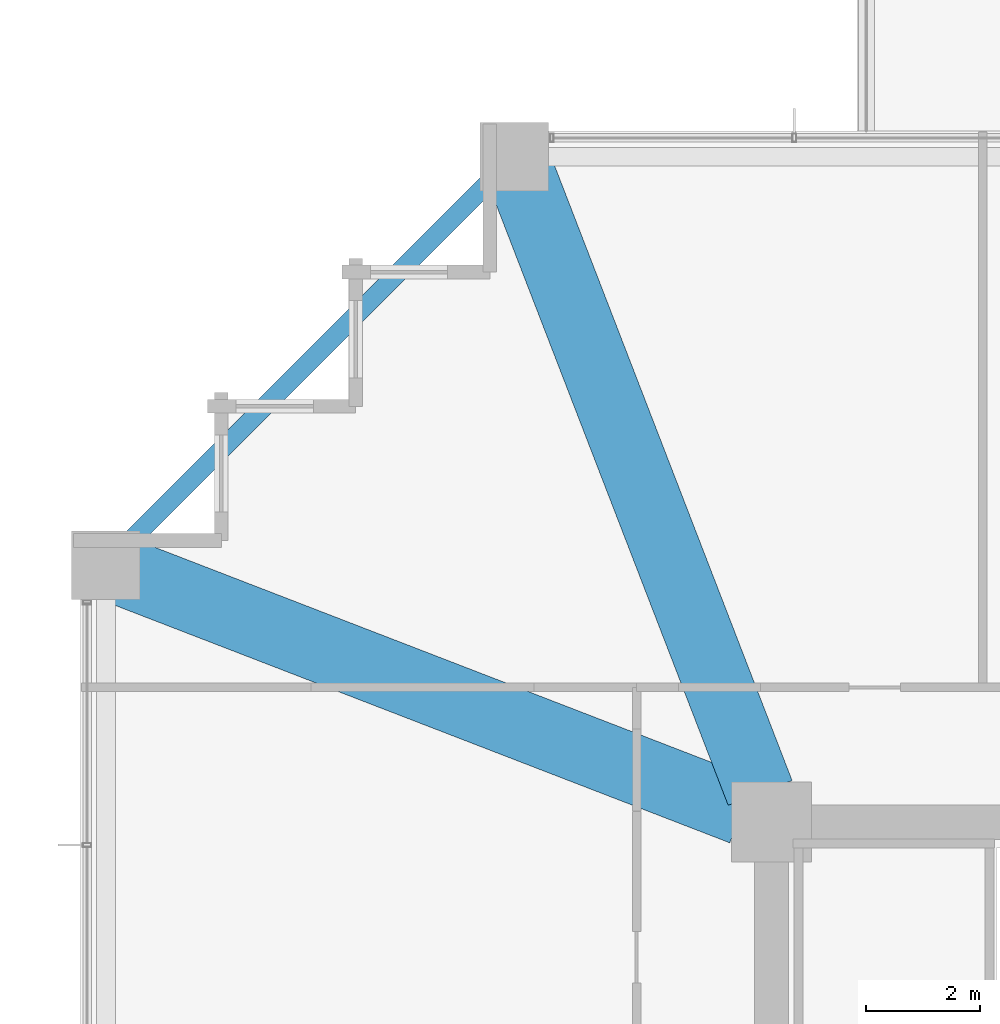
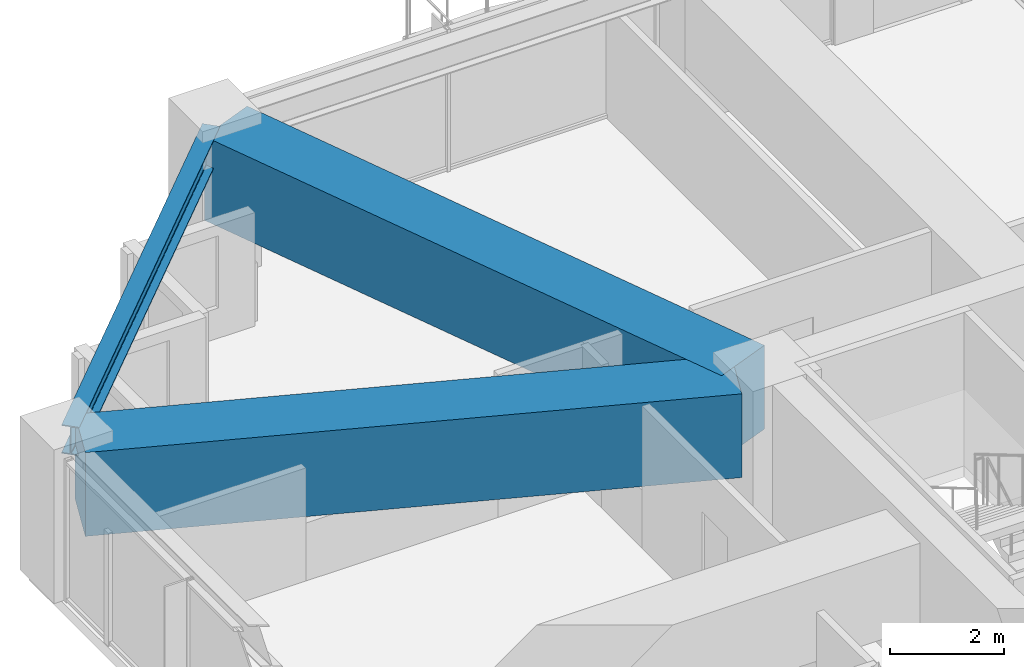
# One storey, part 17 of 37: 3 beams.
"""IFC4 building model written with IfcOpenShell, lengths in metres."""

import ifcopenshell
import ifcopenshell.guid

model = None  # the IFC model being written
_history = None  # IfcOwnerHistory: only IFC2X3 demands one
_inside = {}  # id of a spatial element -> (the spatial element, [elements in it])
_under = {}  # id of a project, library or spatial element -> (it, [spatial elements below it])
_declared = {}  # id of a project -> (the project, [libraries it declares])
_typed = {}  # id of a type object -> (the type object, [elements of that type])
_made_of = {}  # id of a material, layer set ... -> (it, [elements and type objects made of it])


def new_model(schema):
    """Start an empty IFC model of exactly this schema.

    Asked for "IFC4X3", IfcOpenShell would pick the latest addendum, in which some entities
    have other attributes; the version numbers below select the first issue.
    IFC2X3 requires an IfcOwnerHistory on every rooted entity: one is made here for all.
    """
    global model, _history
    if schema == "IFC4X3":
        model = ifcopenshell.file(schema_version=(4, 3, 0, 0))
    else:
        model = ifcopenshell.file(schema=schema)
    _inside.clear()
    _under.clear()
    _declared.clear()
    _typed.clear()
    _made_of.clear()
    _history = None
    if model.schema == "IFC2X3":
        org = make("IfcOrganization", Name="unknown")
        user = make(
            "IfcPersonAndOrganization",
            ThePerson=make("IfcPerson", FamilyName="unknown"),
            TheOrganization=org,
        )
        app = make(
            "IfcApplication",
            ApplicationDeveloper=org,
            Version="unknown",
            ApplicationFullName="unknown",
            ApplicationIdentifier="unknown",
        )
        _history = make(
            "IfcOwnerHistory",
            OwningUser=user,
            OwningApplication=app,
            ChangeAction="ADDED",
            CreationDate=0,
        )
    return model


def make(cls, **values):
    """One entity of the class cls with the attributes given. An attribute that is None is left unset."""
    return model.create_entity(
        cls, **{name: value for name, value in values.items() if value is not None}
    )


def rooted(cls, **values):
    """An entity with a GlobalId (a new one), such as an element, a storey or a relation."""
    return make(cls, GlobalId=ifcopenshell.guid.new(), OwnerHistory=_history, **values)


def si_unit(unit_type, name, prefix=None):
    """IfcSIUnit, for example si_unit("LENGTHUNIT", "METRE", prefix="MILLI")."""
    return make("IfcSIUnit", UnitType=unit_type, Prefix=prefix, Name=name)


def assignment(units):
    """IfcUnitAssignment: the units of a project."""
    return None if units is None else make("IfcUnitAssignment", Units=units)


def point(xyz):
    """IfcCartesianPoint."""
    return None if xyz is None else make("IfcCartesianPoint", Coordinates=xyz)


def direction(xyz):
    """IfcDirection."""
    return None if xyz is None else make("IfcDirection", DirectionRatios=xyz)


def frame(location, z_axis=None, x_axis=None):
    """IfcAxis2Placement3D, a coordinate frame: its origin and axes. An axis left out is left unset."""
    return make(
        "IfcAxis2Placement3D",
        Location=point(location),
        Axis=direction(z_axis),
        RefDirection=direction(x_axis),
    )


def frame_2d(location, x_axis=None):
    """IfcAxis2Placement2D, a coordinate frame in the plane: its origin and x axis."""
    return make(
        "IfcAxis2Placement2D", Location=point(location), RefDirection=direction(x_axis)
    )


def origin():
    """The frame at (0, 0, 0) with its axes left unset."""
    return frame((0.0, 0.0, 0.0))


def origin_2d():
    """The frame at (0, 0) in the plane with its x axis left unset."""
    return frame_2d((0.0, 0.0))


def place(relative_to, where):
    """IfcLocalPlacement: puts the frame where relative to a parent placement (None: the world)."""
    return make(
        "IfcLocalPlacement", PlacementRelTo=relative_to, RelativePlacement=where
    )


def context(
    kind, dimensions, precision=None, world=None, true_north=None, identifier=None
):
    """IfcGeometricRepresentationContext, for example the 3D "Model" context."""
    return make(
        "IfcGeometricRepresentationContext",
        ContextIdentifier=identifier,
        ContextType=kind,
        CoordinateSpaceDimension=dimensions,
        Precision=precision,
        WorldCoordinateSystem=world,
        TrueNorth=true_north,
    )


def subcontext(parent, identifier, kind, view, scale=None):
    """IfcGeometricRepresentationSubContext, for example "Body" below "Model"."""
    return make(
        "IfcGeometricRepresentationSubContext",
        ContextIdentifier=identifier,
        ContextType=kind,
        ParentContext=parent,
        TargetScale=scale,
        TargetView=view,
    )


def project(units=None, contexts=None):
    """IfcProject with its units and contexts."""
    return rooted(
        "IfcProject",
        Name="project",
        RepresentationContexts=contexts,
        UnitsInContext=assignment(units),
    )


def spatial(cls, under=None, at=None, **own):
    """A site, building, storey or space (cls), placed at a placement, below another one or the project."""
    s = rooted(cls, ObjectPlacement=at, **own)
    if under is not None:
        _under.setdefault(under.id(), (under, []))[1].append(s)
    return s


def profile(cls, at=None, kind="AREA", **sizes):
    """A parametric profile (cls). Its sizes go by their IFC names, for example OverallWidth=200.0."""
    return make(cls, ProfileType=kind, Position=at, **sizes)


def rectangle(**sizes):
    """IfcRectangleProfileDef."""
    return profile("IfcRectangleProfileDef", **sizes)


def i_section(**sizes):
    """IfcIShapeProfileDef."""
    return profile("IfcIShapeProfileDef", **sizes)


def extrude(swept, where, along, depth):
    """IfcExtrudedAreaSolid: the profile swept, set in the frame where, extruded along a direction by depth."""
    return make(
        "IfcExtrudedAreaSolid",
        SweptArea=swept,
        Position=where,
        ExtrudedDirection=direction(along),
        Depth=depth,
    )


def shape(context_of_items, identifier, shape_type, items):
    """IfcShapeRepresentation: the items that make up one representation, for example the "Body"."""
    return make(
        "IfcShapeRepresentation",
        ContextOfItems=context_of_items,
        RepresentationIdentifier=identifier,
        RepresentationType=shape_type,
        Items=items,
    )


def material(Name=None, Category=None):
    """IfcMaterial."""
    return make("IfcMaterial", Name=Name, Category=Category)


def material_profile(
    of_material, cross_section, Name=None, Category=None, Priority=None
):
    """IfcMaterialProfile: a cross section and its material."""
    return make(
        "IfcMaterialProfile",
        Name=Name,
        Material=of_material,
        Profile=cross_section,
        Priority=Priority,
        Category=Category,
    )


def profile_set(profiles, Name=None, composite=None):
    """IfcMaterialProfileSet."""
    return make(
        "IfcMaterialProfileSet",
        Name=Name,
        MaterialProfiles=profiles,
        CompositeProfile=composite,
    )


def made_of(thing, what):
    """Note that an element or type object is made of a material, layer set ...; save() writes the relation."""
    if what is not None:
        _made_of.setdefault(what.id(), (what, []))[1].append(thing)
    return thing


def type_object(cls, material=None, **own):
    """A type object (cls), such as IfcWallType, which elements share."""
    return made_of(rooted(cls, **own), material)


def element(
    cls,
    number,
    at=None,
    inside=None,
    cuts=None,
    type_object=None,
    material=None,
    context=None,
    identifier="Body",
    shape_type=None,
    held_by="IfcProductDefinitionShape",
    body=None,
    shapes=None,
    **own,
):
    """One element of the class cls, such as IfcWall. Its Tag is "e" and its number.

    at: its placement. inside: the storey or other place that contains it. cuts: it is an
    opening in that element (IfcRelVoidsElement). A single representation is given by context,
    identifier, shape_type and body (its items); several are given by shapes. held_by: the class
    of the entity that holds the representations. save() writes the other relations.
    """
    e = rooted(cls, Tag="e%d" % number, ObjectPlacement=at, **own)
    if body is not None:
        shapes = [shape(context, identifier, shape_type, body)]
    if shapes is not None:
        e.Representation = make(held_by, Representations=shapes)
    if inside is not None:
        _inside.setdefault(inside.id(), (inside, []))[1].append(e)
    if cuts is not None:
        rooted(
            "IfcRelVoidsElement", RelatingBuildingElement=cuts, RelatedOpeningElement=e
        )
    if type_object is not None:
        _typed.setdefault(type_object.id(), (type_object, []))[1].append(e)
    return made_of(e, material)


def aggregate(whole, parts):
    """IfcRelAggregates: a whole, such as a stair, and the parts it consists of."""
    return rooted("IfcRelAggregates", RelatingObject=whole, RelatedObjects=parts)


def save(model, path):
    """Write the relations noted so far, then the file.

    IfcRelAggregates (storeys below a building ...), IfcRelContainedInSpatialStructure (elements
    in a storey), IfcRelDefinesByType, IfcRelAssociatesMaterial and IfcRelDeclares: one each for
    every whole, place, type object, material and project.
    """
    for whole, parts in _under.values():
        aggregate(whole, parts)
    for where, things in _inside.values():
        rooted(
            "IfcRelContainedInSpatialStructure",
            RelatedElements=things,
            RelatingStructure=where,
        )
    for kind, things in _typed.values():
        rooted("IfcRelDefinesByType", RelatedObjects=things, RelatingType=kind)
    for what, things in _made_of.values():
        rooted("IfcRelAssociatesMaterial", RelatedObjects=things, RelatingMaterial=what)
    for by, libraries in _declared.values():
        rooted("IfcRelDeclares", RelatingContext=by, RelatedDefinitions=libraries)
    model.write(path)


model = new_model("IFC4")

# Units and contexts
model_context = context("Model", 3, precision=1e-05, world=origin(), true_north=direction((0.0, 1.0)))
body_context = subcontext(model_context, "Body", "Model", "MODEL_VIEW")
ifc_project = project(units=[si_unit("LENGTHUNIT", "METRE"), si_unit("AREAUNIT", "SQUARE_METRE"), si_unit("VOLUMEUNIT", "CUBIC_METRE"), si_unit("PLANEANGLEUNIT", "RADIAN"), si_unit("MASSUNIT", "GRAM", prefix="KILO")], contexts=[model_context])

# Site, building, storey
site_placement = place(None, origin())
site = spatial("IfcSite", under=ifc_project, at=site_placement, CompositionType="ELEMENT")
building_placement = place(site_placement, origin())
building = spatial("IfcBuilding", under=site, at=building_placement, Name="Kolvaren Belvedere", CompositionType="ELEMENT")
storey_placement = place(building_placement, frame((0.0, 0.0, 56.800048828125)))
storey = spatial("IfcBuildingStorey", under=building, at=storey_placement, Name="L16", CompositionType="ELEMENT", Elevation=56.800048828125)

# Beams
ifc_material_1 = material(Name="Structural steel ASTM A992 Grade 50", Category="steel")
ifc_material_profile_1 = material_profile(ifc_material_1, i_section(OverallWidth=0.324951171875, OverallDepth=0.615966796875, WebThickness=0.013916015625, FlangeThickness=0.021484375, FilletRadius=0.02001953125, at=origin_2d()), Name="W24X117")
ifc_profile_set_1 = profile_set([ifc_material_profile_1], Name="Structural steel ASTM A992 Grade 50")
beam_type_1 = type_object("IfcBeamType", Name="BM-SPAN-W24X117", PredefinedType="SPANDREL", material=ifc_profile_set_1)
beam_placement = place(storey_placement, frame((-14.5908203125, 21.359130859375, 2.751953125), z_axis=(-0.707106781187, -0.707106781187, 0.0), x_axis=(0.707106781187, -0.707106781187, 0.0)))
element("IfcBeam", 1, at=beam_placement, inside=storey, type_object=beam_type_1, Name="L16 Perimeter Spandrel N1-W4", PredefinedType="SPANDREL", context=body_context, shape_type="SweptSolid", body=[
    extrude(i_section(OverallWidth=0.324951171875, OverallDepth=0.615966796875, WebThickness=0.013916015625, FlangeThickness=0.021484375, FilletRadius=0.02001953125, at=origin_2d()), origin(), (0.0, 0.0, 1.0), 9.57177734375),
])
ifc_material_2 = material(Name="Concrete C50/60", Category="concrete")
ifc_material_profile_2 = material_profile(ifc_material_2, rectangle(XDim=1.199951171875, YDim=1.800048828125, at=origin_2d()), Name="RC 1200X1800")
ifc_profile_set_2 = profile_set([ifc_material_profile_2], Name="Concrete C50/60")
beam_type_2 = type_object("IfcBeamType", Name="BM-TG-1800", PredefinedType="BEAM", material=ifc_profile_set_2)
for number, where, z_axis, x_axis, name in (
    (2, (-10.09814453125, 10.4130859375, 2.159912109375), (-0.360318391835, 0.932829382313, 0.0), (-0.932829382313, -0.360318391835, 0.0), "L16 Corner Core-to-Perimeter Girder CC4-N1"),
    (3, (-10.4130859375, 10.09814453125, 2.159912109375), (-0.932829382313, 0.360318391835, 0.0), (-0.360318391835, -0.932829382313, 0.0), "L16 Corner Core-to-Perimeter Girder CC4-W4"),
):
    element("IfcBeam", number, at=place(storey_placement, frame(where, z_axis=z_axis, x_axis=x_axis)), inside=storey, type_object=beam_type_2, Name=name, PredefinedType="BEAM", context=body_context, shape_type="SweptSolid", body=[
        extrude(rectangle(XDim=1.199951171875, YDim=1.800048828125, at=origin_2d()), origin(), (0.0, 0.0, 1.0), 11.698974609375),
    ])

save(model, "model.ifc")
